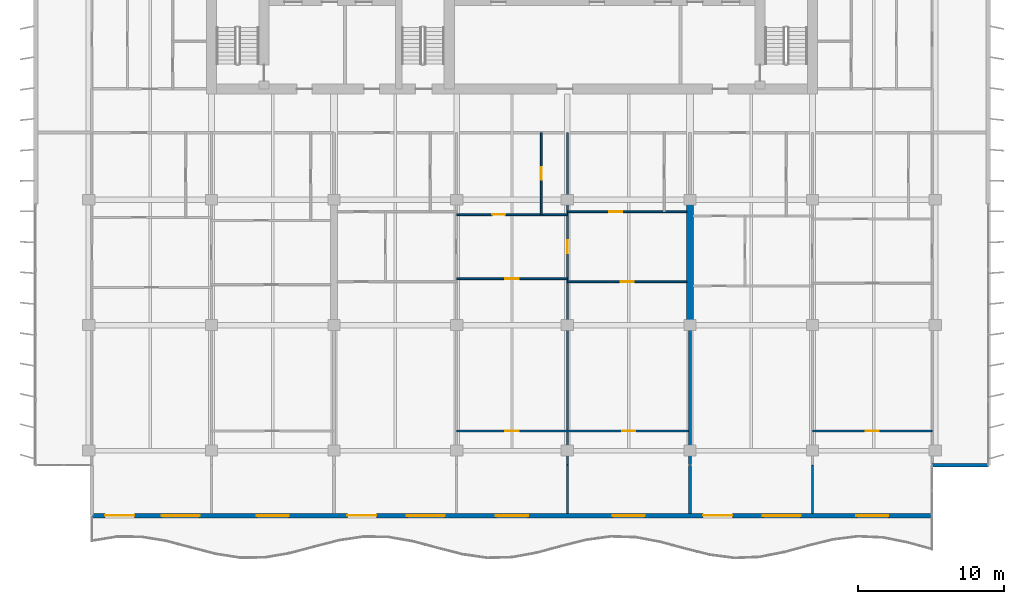
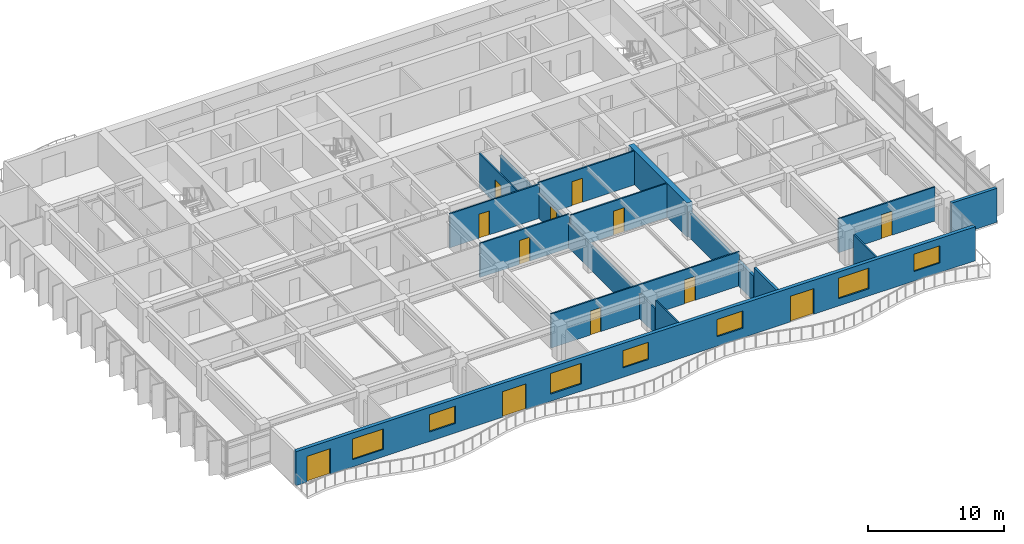
# One storey, part 8 of 16: 15 walls, 12 doors, 7 windows, 19 openings.
"""IFC4 building model written with IfcOpenShell, lengths in metres."""

from ifc_helpers import new_model, si_unit, direction, frame, frame_2d, origin, place, context, subcontext, project, spatial, rectangle, extrude, material, layer, layer_set, type_object, element, fill, save


model = new_model("IFC4")

# Units and contexts
model_context = context("Model", 3, precision=1e-05, world=origin(), true_north=direction((0.0, 1.0)))
body_context = subcontext(model_context, "Body", "Model", "MODEL_VIEW")
ifc_project = project(units=[si_unit("LENGTHUNIT", "METRE"), si_unit("AREAUNIT", "SQUARE_METRE"), si_unit("VOLUMEUNIT", "CUBIC_METRE"), si_unit("PLANEANGLEUNIT", "RADIAN"), si_unit("MASSUNIT", "GRAM", prefix="KILO")], contexts=[model_context])

# Site, building, storey
site_placement = place(None, origin())
site = spatial("IfcSite", under=ifc_project, at=site_placement, CompositionType="ELEMENT")
building_placement = place(site_placement, origin())
building = spatial("IfcBuilding", under=site, at=building_placement, Name="Caelmar Bay Residences", CompositionType="ELEMENT")
storey_placement = place(building_placement, frame((0.0, 0.0, 211.5)))
storey = spatial("IfcBuildingStorey", under=building, at=storey_placement, Name="L59", CompositionType="ELEMENT", Elevation=211.5)

# Walls
ifc_material_1 = material(Name="Concrete f'c 55 MPa (8,000 psi)", Category="concrete")
ifc_layer_1 = layer(ifc_material_1, 0.449951171875)
ifc_layer_set_1 = layer_set([ifc_layer_1], Name="Concrete f'c 55 MPa (8,000 psi)")
wall_type_1 = type_object("IfcWallType", Name="SW-XSLB-450", PredefinedType="SHEAR", material=ifc_layer_set_1)
wall_1_placement = place(storey_placement, frame((51.10009765625, 20.800048828125, 0.0), z_axis=(0.0, 0.0, 1.0), x_axis=(0.0, 1.0, 0.0)))
element("IfcWall", 1, at=wall_1_placement, inside=storey, type_object=wall_type_1, Name="L59 Transverse Cross-Slab Shear Wall E8", PredefinedType="SHEAR", context=body_context, shape_type="SweptSolid", body=[
    extrude(rectangle(XDim=8.599853515625, YDim=0.449951171875, at=frame_2d((4.2998046875, 0.0))), origin(), (0.0, 0.0, 1.0), 3.050048828125),
])
ifc_material_2 = material(Name="Precast concrete f'c 40 MPa (6,000 psi)", Category="concrete")
ifc_layer_2 = layer(ifc_material_2, 0.25)
ifc_layer_set_2 = layer_set([ifc_layer_2], Name="Precast concrete f'c 40 MPa (6,000 psi)")
wall_type_2 = type_object("IfcWallType", Name="W-EXT-250", PredefinedType="ELEMENTEDWALL", material=ifc_layer_set_2)
wall_2_placement = place(storey_placement, frame((67.699951171875, 11.199951171875, 0.0), z_axis=(0.0, 0.0, 1.0), x_axis=(1.0, 0.0, 0.0)))
element("IfcWall", 2, at=wall_2_placement, inside=storey, type_object=wall_type_2, Name="L59 SE Notch Return Wall", PredefinedType="ELEMENTEDWALL", context=body_context, shape_type="SweptSolid", body=[
    extrude(rectangle(XDim=3.85009765625, YDim=0.25, at=frame_2d((1.925048828125, 0.0))), origin(), (0.0, 0.0, 1.0), 3.050048828125),
])

# Wall, openings, doors, windows
ifc_layer_3 = layer(ifc_material_2, 0.300048828125)
ifc_layer_set_3 = layer_set([ifc_layer_3], Name="Precast concrete f'c 40 MPa (6,000 psi)")
wall_type_3 = type_object("IfcWallType", Name="W-EXT-300", PredefinedType="STANDARD", material=ifc_layer_set_3)
wall_3_placement = place(storey_placement, frame((67.699951171875, 7.75, 0.0), z_axis=(0.0, 0.0, 1.0), x_axis=(-1.0, 0.0, 0.0)))
wall_3 = element("IfcWall", 3, at=wall_3_placement, inside=storey, type_object=wall_type_3, Name="L59 South Bayfront Exterior Wall", PredefinedType="STANDARD", context=body_context, shape_type="SweptSolid", body=[
    extrude(rectangle(XDim=57.599853515625, YDim=0.300048828125, at=frame_2d((28.7998046875, 0.0))), origin(), (0.0, 0.0, 1.0), 3.050048828125),
])
opening_1_placement = place(wall_3_placement, frame((54.68994140625, 0.0, 0.0)))
opening_1 = element("IfcOpeningElement", 4, at=opening_1_placement, cuts=wall_3, Name="Opening L59-BD01", PredefinedType="OPENING", context=body_context, shape_type="SweptSolid", body=[
    extrude(rectangle(XDim=2.0, YDim=2.300048828125, at=frame_2d((1.0, 1.14990234375))), frame((0.0, 0.159912109375, 0.0), z_axis=(0.0, -1.0, 0.0), x_axis=(1.0, 0.0, 0.0)), (0.0, 0.0, 1.0), 0.320068359375),
])
opening_2_placement = place(wall_3_placement, frame((50.2099609375, 0.0, 0.64990234375)))
opening_2 = element("IfcOpeningElement", 5, at=opening_2_placement, cuts=wall_3, Name="Opening WN3", PredefinedType="OPENING", context=body_context, shape_type="SweptSolid", body=[
    extrude(rectangle(XDim=2.60009765625, YDim=1.85009765625, at=frame_2d((1.300048828125, 0.925048828125))), frame((0.0, 0.159912109375, 0.0), z_axis=(0.0, -1.0, 0.0), x_axis=(1.0, 0.0, 0.0)), (0.0, 0.0, 1.0), 0.320068359375),
])
opening_3_placement = place(wall_3_placement, frame((44.10009765625, 0.0, 0.85009765625)))
opening_3 = element("IfcOpeningElement", 6, at=opening_3_placement, cuts=wall_3, Name="Opening WN2", PredefinedType="OPENING", context=body_context, shape_type="SweptSolid", body=[
    extrude(rectangle(XDim=2.199951171875, YDim=1.550048828125, at=frame_2d((1.10009765625, 0.77490234375))), frame((0.0, 0.159912109375, 0.0), z_axis=(0.0, -1.0, 0.0), x_axis=(1.0, 0.0, 0.0)), (0.0, 0.0, 1.0), 0.320068359375),
])
opening_4_placement = place(wall_3_placement, frame((38.090087890625, 0.0, 0.0)))
opening_4 = element("IfcOpeningElement", 7, at=opening_4_placement, cuts=wall_3, Name="Opening L59-BD02", PredefinedType="OPENING", context=body_context, shape_type="SweptSolid", body=[
    extrude(rectangle(XDim=2.0, YDim=2.300048828125, at=frame_2d((1.0, 1.14990234375))), frame((0.0, 0.159912109375, 0.0), z_axis=(0.0, -1.0, 0.0), x_axis=(1.0, 0.0, 0.0)), (0.0, 0.0, 1.0), 0.320068359375),
])
opening_5_placement = place(wall_3_placement, frame((33.409912109375, 0.0, 0.64990234375)))
opening_5 = element("IfcOpeningElement", 8, at=opening_5_placement, cuts=wall_3, Name="Opening WN3", PredefinedType="OPENING", context=body_context, shape_type="SweptSolid", body=[
    extrude(rectangle(XDim=2.60009765625, YDim=1.85009765625, at=frame_2d((1.300048828125, 0.925048828125))), frame((0.0, 0.159912109375, 0.0), z_axis=(0.0, -1.0, 0.0), x_axis=(1.0, 0.0, 0.0)), (0.0, 0.0, 1.0), 0.320068359375),
])
opening_6_placement = place(wall_3_placement, frame((27.699951171875, 0.0, 0.85009765625)))
opening_6 = element("IfcOpeningElement", 9, at=opening_6_placement, cuts=wall_3, Name="Opening WN2", PredefinedType="OPENING", context=body_context, shape_type="SweptSolid", body=[
    extrude(rectangle(XDim=2.199951171875, YDim=1.550048828125, at=frame_2d((1.10009765625, 0.77490234375))), frame((0.0, 0.159912109375, 0.0), z_axis=(0.0, -1.0, 0.0), x_axis=(1.0, 0.0, 0.0)), (0.0, 0.0, 1.0), 0.320068359375),
])
opening_7_placement = place(wall_3_placement, frame((19.699951171875, 0.0, 0.85009765625)))
opening_7 = element("IfcOpeningElement", 10, at=opening_7_placement, cuts=wall_3, Name="Opening WN2", PredefinedType="OPENING", context=body_context, shape_type="SweptSolid", body=[
    extrude(rectangle(XDim=2.199951171875, YDim=1.550048828125, at=frame_2d((1.10009765625, 0.77490234375))), frame((0.0, 0.159912109375, 0.0), z_axis=(0.0, -1.0, 0.0), x_axis=(1.0, 0.0, 0.0)), (0.0, 0.0, 1.0), 0.320068359375),
])
opening_8_placement = place(wall_3_placement, frame((13.68994140625, 0.0, 0.0)))
opening_8 = element("IfcOpeningElement", 11, at=opening_8_placement, cuts=wall_3, Name="Opening L59-BD03", PredefinedType="OPENING", context=body_context, shape_type="SweptSolid", body=[
    extrude(rectangle(XDim=2.0, YDim=2.300048828125, at=frame_2d((1.0, 1.14990234375))), frame((0.0, 0.159912109375, 0.0), z_axis=(0.0, -1.0, 0.0), x_axis=(1.0, 0.0, 0.0)), (0.0, 0.0, 1.0), 0.320068359375),
])
opening_9_placement = place(wall_3_placement, frame((9.010009765625, 0.0, 0.64990234375)))
opening_9 = element("IfcOpeningElement", 12, at=opening_9_placement, cuts=wall_3, Name="Opening WN3", PredefinedType="OPENING", context=body_context, shape_type="SweptSolid", body=[
    extrude(rectangle(XDim=2.60009765625, YDim=1.85009765625, at=frame_2d((1.300048828125, 0.925048828125))), frame((0.0, 0.159912109375, 0.0), z_axis=(0.0, -1.0, 0.0), x_axis=(1.0, 0.0, 0.0)), (0.0, 0.0, 1.0), 0.320068359375),
])
opening_10_placement = place(wall_3_placement, frame((3.0, 0.0, 0.85009765625)))
opening_10 = element("IfcOpeningElement", 13, at=opening_10_placement, cuts=wall_3, Name="Opening WN2", PredefinedType="OPENING", context=body_context, shape_type="SweptSolid", body=[
    extrude(rectangle(XDim=2.199951171875, YDim=1.550048828125, at=frame_2d((1.10009765625, 0.77490234375))), frame((0.0, 0.159912109375, 0.0), z_axis=(0.0, -1.0, 0.0), x_axis=(1.0, 0.0, 0.0)), (0.0, 0.0, 1.0), 0.320068359375),
])
ifc_material_3 = material(Name="Anodised bronze thermally broken sliding glass door", Category="glass")
ifc_layer_4 = layer(ifc_material_3, 0.050048828125)
ifc_layer_set_4 = layer_set([ifc_layer_4], Name="Anodised bronze thermally broken sliding glass door")
door_type_1 = type_object("IfcDoorType", Name="D-BAL-2000", OperationType="DOUBLE_DOOR_SLIDING", PredefinedType="DOOR", material=ifc_layer_set_4)
door_1_placement = place(opening_1_placement, origin())
door_1 = element("IfcDoor", 14, at=door_1_placement, inside=storey, type_object=door_type_1, Name="L59 Residence 01 Penthouse Living Salon Balcony Door", OperationType="DOUBLE_DOOR_SLIDING", OverallHeight=2.300048828125, OverallWidth=2.0, PredefinedType="DOOR", context=body_context, shape_type="SweptSolid", body=[
    extrude(rectangle(XDim=2.0, YDim=2.300048828125, at=frame_2d((1.0, 1.14990234375))), frame((0.0, 0.02490234375, 0.0), z_axis=(0.0, -1.0, 0.0), x_axis=(1.0, 0.0, 0.0)), (0.0, 0.0, 1.0), 0.050048828125),
])
fill(opening_1, door_1)
door_2_placement = place(opening_4_placement, origin())
door_2 = element("IfcDoor", 15, at=door_2_placement, inside=storey, type_object=door_type_1, Name="L59 Residence 02 Penthouse Living Salon Balcony Door", OperationType="DOUBLE_DOOR_SLIDING", OverallHeight=2.300048828125, OverallWidth=2.0, PredefinedType="DOOR", context=body_context, shape_type="SweptSolid", body=[
    extrude(rectangle(XDim=2.0, YDim=2.300048828125, at=frame_2d((1.0, 1.14990234375))), frame((0.0, 0.02490234375, 0.0), z_axis=(0.0, -1.0, 0.0), x_axis=(1.0, 0.0, 0.0)), (0.0, 0.0, 1.0), 0.050048828125),
])
fill(opening_4, door_2)
door_3_placement = place(opening_8_placement, origin())
door_3 = element("IfcDoor", 16, at=door_3_placement, inside=storey, type_object=door_type_1, Name="L59 Residence 03 Penthouse Living Salon Balcony Door", OperationType="DOUBLE_DOOR_SLIDING", OverallHeight=2.300048828125, OverallWidth=2.0, PredefinedType="DOOR", context=body_context, shape_type="SweptSolid", body=[
    extrude(rectangle(XDim=2.0, YDim=2.300048828125, at=frame_2d((1.0, 1.14990234375))), frame((0.0, 0.02490234375, 0.0), z_axis=(0.0, -1.0, 0.0), x_axis=(1.0, 0.0, 0.0)), (0.0, 0.0, 1.0), 0.050048828125),
])
fill(opening_8, door_3)
ifc_material_4 = material(Name="Bronze aluminium frame with laminated low-E glass", Category="aluminium")
ifc_layer_5 = layer(ifc_material_4, 0.06005859375)
ifc_layer_set_5 = layer_set([ifc_layer_5], Name="Bronze aluminium frame with laminated low-E glass")
window_type_1 = type_object("IfcWindowType", Name="WIN-BR-2200", PartitioningType="SINGLE_PANEL", PredefinedType="WINDOW", material=ifc_layer_set_5)
window_1_placement = place(opening_3_placement, origin())
window_1 = element("IfcWindow", 17, at=window_1_placement, inside=storey, type_object=window_type_1, Name="L59 Residence 01 Primary Bedroom 1 Window", OverallHeight=1.550048828125, OverallWidth=2.199951171875, PartitioningType="SINGLE_PANEL", PredefinedType="WINDOW", context=body_context, shape_type="SweptSolid", body=[
    extrude(rectangle(XDim=2.199951171875, YDim=1.550048828125, at=frame_2d((1.10009765625, 0.77490234375))), frame((0.0, 0.030029296875, 0.0), z_axis=(0.0, -1.0, 0.0), x_axis=(1.0, 0.0, 0.0)), (0.0, 0.0, 1.0), 0.06005859375),
])
fill(opening_3, window_1)
window_2_placement = place(opening_6_placement, origin())
window_2 = element("IfcWindow", 18, at=window_2_placement, inside=storey, type_object=window_type_1, Name="L59 Residence 02 Primary Bedroom 1 Window", OverallHeight=1.550048828125, OverallWidth=2.199951171875, PartitioningType="SINGLE_PANEL", PredefinedType="WINDOW", context=body_context, shape_type="SweptSolid", body=[
    extrude(rectangle(XDim=2.199951171875, YDim=1.550048828125, at=frame_2d((1.10009765625, 0.77490234375))), frame((0.0, 0.030029296875, 0.0), z_axis=(0.0, -1.0, 0.0), x_axis=(1.0, 0.0, 0.0)), (0.0, 0.0, 1.0), 0.06005859375),
])
fill(opening_6, window_2)
window_3_placement = place(opening_7_placement, origin())
window_3 = element("IfcWindow", 19, at=window_3_placement, inside=storey, type_object=window_type_1, Name="L59 Residence 02 Primary Bedroom 2 Window", OverallHeight=1.550048828125, OverallWidth=2.199951171875, PartitioningType="SINGLE_PANEL", PredefinedType="WINDOW", context=body_context, shape_type="SweptSolid", body=[
    extrude(rectangle(XDim=2.199951171875, YDim=1.550048828125, at=frame_2d((1.10009765625, 0.77490234375))), frame((0.0, 0.030029296875, 0.0), z_axis=(0.0, -1.0, 0.0), x_axis=(1.0, 0.0, 0.0)), (0.0, 0.0, 1.0), 0.06005859375),
])
fill(opening_7, window_3)
window_4_placement = place(opening_10_placement, origin())
window_4 = element("IfcWindow", 20, at=window_4_placement, inside=storey, type_object=window_type_1, Name="L59 Residence 03 Primary Bedroom 1 Window", OverallHeight=1.550048828125, OverallWidth=2.199951171875, PartitioningType="SINGLE_PANEL", PredefinedType="WINDOW", context=body_context, shape_type="SweptSolid", body=[
    extrude(rectangle(XDim=2.199951171875, YDim=1.550048828125, at=frame_2d((1.10009765625, 0.77490234375))), frame((0.0, 0.030029296875, 0.0), z_axis=(0.0, -1.0, 0.0), x_axis=(1.0, 0.0, 0.0)), (0.0, 0.0, 1.0), 0.06005859375),
])
fill(opening_10, window_4)
ifc_layer_6 = layer(ifc_material_4, 0.06005859375)
ifc_layer_set_6 = layer_set([ifc_layer_6], Name="Bronze aluminium frame with laminated low-E glass")
window_type_2 = type_object("IfcWindowType", Name="WIN-LIV-2600", PartitioningType="SINGLE_PANEL", PredefinedType="WINDOW", material=ifc_layer_set_6)
window_5_placement = place(opening_2_placement, origin())
window_5 = element("IfcWindow", 21, at=window_5_placement, inside=storey, type_object=window_type_2, Name="L59 Residence 01 Penthouse Living Salon Panoramic Window", OverallHeight=1.85009765625, OverallWidth=2.60009765625, PartitioningType="SINGLE_PANEL", PredefinedType="WINDOW", context=body_context, shape_type="SweptSolid", body=[
    extrude(rectangle(XDim=2.60009765625, YDim=1.85009765625, at=frame_2d((1.300048828125, 0.925048828125))), frame((0.0, 0.030029296875, 0.0), z_axis=(0.0, -1.0, 0.0), x_axis=(1.0, 0.0, 0.0)), (0.0, 0.0, 1.0), 0.06005859375),
])
fill(opening_2, window_5)
window_6_placement = place(opening_5_placement, origin())
window_6 = element("IfcWindow", 22, at=window_6_placement, inside=storey, type_object=window_type_2, Name="L59 Residence 02 Penthouse Living Salon Panoramic Window", OverallHeight=1.85009765625, OverallWidth=2.60009765625, PartitioningType="SINGLE_PANEL", PredefinedType="WINDOW", context=body_context, shape_type="SweptSolid", body=[
    extrude(rectangle(XDim=2.60009765625, YDim=1.85009765625, at=frame_2d((1.300048828125, 0.925048828125))), frame((0.0, 0.030029296875, 0.0), z_axis=(0.0, -1.0, 0.0), x_axis=(1.0, 0.0, 0.0)), (0.0, 0.0, 1.0), 0.06005859375),
])
fill(opening_5, window_6)
window_7_placement = place(opening_9_placement, origin())
window_7 = element("IfcWindow", 23, at=window_7_placement, inside=storey, type_object=window_type_2, Name="L59 Residence 03 Penthouse Living Salon Panoramic Window", OverallHeight=1.85009765625, OverallWidth=2.60009765625, PartitioningType="SINGLE_PANEL", PredefinedType="WINDOW", context=body_context, shape_type="SweptSolid", body=[
    extrude(rectangle(XDim=2.60009765625, YDim=1.85009765625, at=frame_2d((1.300048828125, 0.925048828125))), frame((0.0, 0.030029296875, 0.0), z_axis=(0.0, -1.0, 0.0), x_axis=(1.0, 0.0, 0.0)), (0.0, 0.0, 1.0), 0.06005859375),
])
fill(opening_9, window_7)

# Wall, opening, door
ifc_material_5 = material(Name="Acoustic metal-stud gypsum partition 120 mm")
ifc_layer_7 = layer(ifc_material_5, 0.1201171875)
ifc_layer_set_7 = layer_set([ifc_layer_7], Name="Acoustic metal-stud gypsum partition 120 mm")
wall_type_4 = type_object("IfcWallType", Name="W-PRT-120", PredefinedType="PARTITIONING", material=ifc_layer_set_7)
wall_4_placement = place(storey_placement, frame((40.903076171875, 28.3798828125, 0.0), z_axis=(0.0, 0.0, 1.0), x_axis=(0.0, 1.0, 0.0)))
wall_4 = element("IfcWall", 24, at=wall_4_placement, inside=storey, type_object=wall_type_4, Name="L59 Partition Wall V025", PredefinedType="PARTITIONING", context=body_context, shape_type="SweptSolid", body=[
    extrude(rectangle(XDim=5.6201171875, YDim=0.1201171875, at=frame_2d((2.81005859375, 0.0))), origin(), (0.0, 0.0, 1.0), 3.050048828125),
])
opening_11_placement = place(wall_4_placement, frame((2.385009765625, 0.0, 0.0)))
opening_11 = element("IfcOpeningElement", 25, at=opening_11_placement, cuts=wall_4, Name="Opening D-L59-140", PredefinedType="OPENING", context=body_context, shape_type="SweptSolid", body=[
    extrude(rectangle(XDim=0.85009765625, YDim=2.10009765625, at=frame_2d((0.425048828125, 1.050048828125))), frame((0.0, 0.070068359375, 0.0), z_axis=(0.0, -1.0, 0.0), x_axis=(1.0, 0.0, 0.0)), (0.0, 0.0, 1.0), 0.14013671875),
])
ifc_material_6 = material(Name="Solid walnut timber interior door leaf and frame", Category="wood")
ifc_layer_8 = layer(ifc_material_6, 0.050048828125)
ifc_layer_set_8 = layer_set([ifc_layer_8], Name="Solid walnut timber interior door leaf and frame")
door_type_2 = type_object("IfcDoorType", Name="D-BATH-850", OperationType="NOTDEFINED", PredefinedType="DOOR", material=ifc_layer_set_8)
door_4_placement = place(opening_11_placement, origin())
door_4 = element("IfcDoor", 26, at=door_4_placement, inside=storey, type_object=door_type_2, Name="L59 Residence 02 En-Suite Bathroom 1 Door", OperationType="SINGLE_SWING_RIGHT", OverallHeight=2.10009765625, OverallWidth=0.85009765625, PredefinedType="DOOR", context=body_context, shape_type="SweptSolid", body=[
    extrude(rectangle(XDim=0.85009765625, YDim=2.10009765625, at=frame_2d((0.425048828125, 1.050048828125))), frame((0.0, 0.02490234375, 0.0), z_axis=(0.0, -1.0, 0.0), x_axis=(1.0, 0.0, 0.0)), (0.0, 0.0, 1.0), 0.050048828125),
])
fill(opening_11, door_4)

# Wall
wall_5_placement = place(storey_placement, frame((42.699951171875, 7.89501953125, 0.0), z_axis=(0.0, 0.0, 1.0), x_axis=(0.0, 1.0, 0.0)))
element("IfcWall", 27, at=wall_5_placement, inside=storey, type_object=wall_type_4, Name="L59 Partition Wall V027", PredefinedType="PARTITIONING", context=body_context, shape_type="SweptSolid", body=[
    extrude(rectangle(XDim=3.304931640625, YDim=0.1201171875, at=frame_2d((1.65234375, 0.0))), origin(), (0.0, 0.0, 1.0), 3.050048828125),
])

# Wall, opening, door
wall_6_placement = place(storey_placement, frame((42.699951171875, 11.239990234375, 0.0), z_axis=(0.0, 0.0, 1.0), x_axis=(0.0, 1.0, 0.0)))
wall_6 = element("IfcWall", 28, at=wall_6_placement, inside=storey, type_object=wall_type_4, Name="L59 Partition Wall V028", PredefinedType="PARTITIONING", context=body_context, shape_type="SweptSolid", body=[
    extrude(rectangle(XDim=22.760009765625, YDim=0.1201171875, at=frame_2d((11.3798828125, 0.0))), origin(), (0.0, 0.0, 1.0), 2.262939453125),
])
opening_12_placement = place(wall_6_placement, frame((14.489990234375, 0.0, 0.0)))
opening_12 = element("IfcOpeningElement", 29, at=opening_12_placement, cuts=wall_6, Name="Opening D-L59-143", PredefinedType="OPENING", context=body_context, shape_type="SweptSolid", body=[
    extrude(rectangle(XDim=0.89990234375, YDim=2.14990234375, at=frame_2d((0.449951171875, 1.074951171875))), frame((0.0, 0.070068359375, 0.0), z_axis=(0.0, -1.0, 0.0), x_axis=(1.0, 0.0, 0.0)), (0.0, 0.0, 1.0), 0.14013671875),
])
ifc_layer_9 = layer(ifc_material_6, 0.050048828125)
ifc_layer_set_9 = layer_set([ifc_layer_9], Name="Solid walnut timber interior door leaf and frame")
door_type_3 = type_object("IfcDoorType", Name="D-ROOM-900", OperationType="NOTDEFINED", PredefinedType="DOOR", material=ifc_layer_set_9)
door_5_placement = place(opening_12_placement, origin())
door_5 = element("IfcDoor", 30, at=door_5_placement, inside=storey, type_object=door_type_3, Name="L59 Residence 02 Reception Lounge 2 Door", OperationType="SINGLE_SWING_LEFT", OverallHeight=2.14990234375, OverallWidth=0.89990234375, PredefinedType="DOOR", context=body_context, shape_type="SweptSolid", body=[
    extrude(rectangle(XDim=0.89990234375, YDim=2.14990234375, at=frame_2d((0.449951171875, 1.074951171875))), frame((0.0, 0.02490234375, 0.0), z_axis=(0.0, -1.0, 0.0), x_axis=(1.0, 0.0, 0.0)), (0.0, 0.0, 1.0), 0.050048828125),
])
fill(opening_12, door_5)

# Wall
wall_7_placement = place(storey_placement, frame((59.5, 7.89501953125, 0.0), z_axis=(0.0, 0.0, 1.0), x_axis=(0.0, 1.0, 0.0)))
element("IfcWall", 31, at=wall_7_placement, inside=storey, type_object=wall_type_4, Name="L59 Partition Wall V042", PredefinedType="PARTITIONING", context=body_context, shape_type="SweptSolid", body=[
    extrude(rectangle(XDim=3.304931640625, YDim=0.1201171875, at=frame_2d((1.65234375, 0.0))), origin(), (0.0, 0.0, 1.0), 3.050048828125),
])

# Wall, openings, doors
wall_8_placement = place(storey_placement, frame((35.10009765625, 13.550048828125, 0.0), z_axis=(0.0, 0.0, 1.0), x_axis=(1.0, 0.0, 0.0)))
wall_8 = element("IfcWall", 32, at=wall_8_placement, inside=storey, type_object=wall_type_4, Name="L59 Partition Wall H052", PredefinedType="PARTITIONING", context=body_context, shape_type="SweptSolid", body=[
    extrude(rectangle(XDim=16.0, YDim=0.1201171875, at=frame_2d((8.0, 0.0))), origin(), (0.0, 0.0, 1.0), 3.050048828125),
])
opening_13_placement = place(wall_8_placement, frame((3.35009765625, 0.0, 0.0)))
opening_13 = element("IfcOpeningElement", 33, at=opening_13_placement, cuts=wall_8, Name="Opening D-L59-142", PredefinedType="OPENING", context=body_context, shape_type="SweptSolid", body=[
    extrude(rectangle(XDim=0.89990234375, YDim=2.14990234375, at=frame_2d((0.449951171875, 1.074951171875))), frame((0.0, 0.070068359375, 0.0), z_axis=(0.0, -1.0, 0.0), x_axis=(1.0, 0.0, 0.0)), (0.0, 0.0, 1.0), 0.14013671875),
])
opening_14_placement = place(wall_8_placement, frame((11.35009765625, 0.0, 0.0)))
opening_14 = element("IfcOpeningElement", 34, at=opening_14_placement, cuts=wall_8, Name="Opening D-L59-147", PredefinedType="OPENING", context=body_context, shape_type="SweptSolid", body=[
    extrude(rectangle(XDim=0.89990234375, YDim=2.14990234375, at=frame_2d((0.449951171875, 1.074951171875))), frame((0.0, 0.070068359375, 0.0), z_axis=(0.0, -1.0, 0.0), x_axis=(1.0, 0.0, 0.0)), (0.0, 0.0, 1.0), 0.14013671875),
])
door_6_placement = place(opening_13_placement, origin())
door_6 = element("IfcDoor", 35, at=door_6_placement, inside=storey, type_object=door_type_3, Name="L59 Residence 02 Primary Bedroom 1 Door", OperationType="SINGLE_SWING_RIGHT", OverallHeight=2.14990234375, OverallWidth=0.89990234375, PredefinedType="DOOR", context=body_context, shape_type="SweptSolid", body=[
    extrude(rectangle(XDim=0.89990234375, YDim=2.14990234375, at=frame_2d((0.449951171875, 1.074951171875))), frame((0.0, 0.02490234375, 0.0), z_axis=(0.0, -1.0, 0.0), x_axis=(1.0, 0.0, 0.0)), (0.0, 0.0, 1.0), 0.050048828125),
])
fill(opening_13, door_6)
door_7_placement = place(opening_14_placement, origin())
door_7 = element("IfcDoor", 36, at=door_7_placement, inside=storey, type_object=door_type_3, Name="L59 Residence 02 Primary Bedroom 2 Door", OperationType="SINGLE_SWING_LEFT", OverallHeight=2.14990234375, OverallWidth=0.89990234375, PredefinedType="DOOR", context=body_context, shape_type="SweptSolid", body=[
    extrude(rectangle(XDim=0.89990234375, YDim=2.14990234375, at=frame_2d((0.449951171875, 1.074951171875))), frame((0.0, 0.02490234375, 0.0), z_axis=(0.0, -1.0, 0.0), x_axis=(1.0, 0.0, 0.0)), (0.0, 0.0, 1.0), 0.050048828125),
])
fill(opening_14, door_7)

# Wall, opening, door
wall_9_placement = place(storey_placement, frame((59.5, 13.550048828125, 0.0), z_axis=(0.0, 0.0, 1.0), x_axis=(1.0, 0.0, 0.0)))
wall_9 = element("IfcWall", 37, at=wall_9_placement, inside=storey, type_object=wall_type_4, Name="L59 Partition Wall H053", PredefinedType="PARTITIONING", context=body_context, shape_type="SweptSolid", body=[
    extrude(rectangle(XDim=8.199951171875, YDim=0.1201171875, at=frame_2d((4.10009765625, 0.0))), origin(), (0.0, 0.0, 1.0), 3.050048828125),
])
opening_15_placement = place(wall_9_placement, frame((3.64990234375, 0.0, 0.0)))
opening_15 = element("IfcOpeningElement", 38, at=opening_15_placement, cuts=wall_9, Name="Opening D-L59-157", PredefinedType="OPENING", context=body_context, shape_type="SweptSolid", body=[
    extrude(rectangle(XDim=0.89990234375, YDim=2.14990234375, at=frame_2d((0.449951171875, 1.074951171875))), frame((0.0, 0.070068359375, 0.0), z_axis=(0.0, -1.0, 0.0), x_axis=(1.0, 0.0, 0.0)), (0.0, 0.0, 1.0), 0.14013671875),
])
door_8_placement = place(opening_15_placement, origin())
door_8 = element("IfcDoor", 39, at=door_8_placement, inside=storey, type_object=door_type_3, Name="L59 Residence 03 Primary Bedroom 1 Door", OperationType="SINGLE_SWING_LEFT", OverallHeight=2.14990234375, OverallWidth=0.89990234375, PredefinedType="DOOR", context=body_context, shape_type="SweptSolid", body=[
    extrude(rectangle(XDim=0.89990234375, YDim=2.14990234375, at=frame_2d((0.449951171875, 1.074951171875))), frame((0.0, 0.02490234375, 0.0), z_axis=(0.0, -1.0, 0.0), x_axis=(1.0, 0.0, 0.0)), (0.0, 0.0, 1.0), 0.050048828125),
])
fill(opening_15, door_8)

wall_10_placement = place(storey_placement, frame((42.699951171875, 23.780029296875, 0.0), z_axis=(0.0, 0.0, 1.0), x_axis=(1.0, 0.0, 0.0)))
wall_10 = element("IfcWall", 40, at=wall_10_placement, inside=storey, type_object=wall_type_4, Name="L59 Partition Wall H059", PredefinedType="PARTITIONING", context=body_context, shape_type="SweptSolid", body=[
    extrude(rectangle(XDim=8.179931640625, YDim=0.1201171875, at=frame_2d((4.08984375, 0.0))), origin(), (0.0, 0.0, 1.0), 3.050048828125),
])
opening_16_placement = place(wall_10_placement, frame((3.639892578125, 0.0, 0.0)))
opening_16 = element("IfcOpeningElement", 41, at=opening_16_placement, cuts=wall_10, Name="Opening D-L59-146", PredefinedType="OPENING", context=body_context, shape_type="SweptSolid", body=[
    extrude(rectangle(XDim=0.89990234375, YDim=2.14990234375, at=frame_2d((0.449951171875, 1.074951171875))), frame((0.0, 0.070068359375, 0.0), z_axis=(0.0, -1.0, 0.0), x_axis=(1.0, 0.0, 0.0)), (0.0, 0.0, 1.0), 0.14013671875),
])
door_9_placement = place(opening_16_placement, origin())
door_9 = element("IfcDoor", 42, at=door_9_placement, inside=storey, type_object=door_type_3, Name="L59 Residence 02 Penthouse Sitting Salon 2 Door", OperationType="SINGLE_SWING_RIGHT", OverallHeight=2.14990234375, OverallWidth=0.89990234375, PredefinedType="DOOR", context=body_context, shape_type="SweptSolid", body=[
    extrude(rectangle(XDim=0.89990234375, YDim=2.14990234375, at=frame_2d((0.449951171875, 1.074951171875))), frame((0.0, 0.02490234375, 0.0), z_axis=(0.0, -1.0, 0.0), x_axis=(1.0, 0.0, 0.0)), (0.0, 0.0, 1.0), 0.050048828125),
])
fill(opening_16, door_9)

wall_11_placement = place(storey_placement, frame((35.10498046875, 23.97998046875, 0.0), z_axis=(0.0, 0.0, 1.0), x_axis=(1.0, 0.0, 0.0)))
wall_11 = element("IfcWall", 43, at=wall_11_placement, inside=storey, type_object=wall_type_4, Name="L59 Partition Wall H060", PredefinedType="PARTITIONING", context=body_context, shape_type="SweptSolid", body=[
    extrude(rectangle(XDim=7.590087890625, YDim=0.1201171875, at=frame_2d((3.794921875, 0.0))), origin(), (0.0, 0.0, 1.0), 3.050048828125),
])
opening_17_placement = place(wall_11_placement, frame((3.344970703125, 0.0, 0.0)))
opening_17 = element("IfcOpeningElement", 44, at=opening_17_placement, cuts=wall_11, Name="Opening D-L59-141", PredefinedType="OPENING", context=body_context, shape_type="SweptSolid", body=[
    extrude(rectangle(XDim=0.89990234375, YDim=2.14990234375, at=frame_2d((0.449951171875, 1.074951171875))), frame((0.0, 0.070068359375, 0.0), z_axis=(0.0, -1.0, 0.0), x_axis=(1.0, 0.0, 0.0)), (0.0, 0.0, 1.0), 0.14013671875),
])
door_10_placement = place(opening_17_placement, origin())
door_10 = element("IfcDoor", 45, at=door_10_placement, inside=storey, type_object=door_type_3, Name="L59 Residence 02 Penthouse Sitting Salon 1 Door", OperationType="SINGLE_SWING_LEFT", OverallHeight=2.14990234375, OverallWidth=0.89990234375, PredefinedType="DOOR", context=body_context, shape_type="SweptSolid", body=[
    extrude(rectangle(XDim=0.89990234375, YDim=2.14990234375, at=frame_2d((0.449951171875, 1.074951171875))), frame((0.0, 0.02490234375, 0.0), z_axis=(0.0, -1.0, 0.0), x_axis=(1.0, 0.0, 0.0)), (0.0, 0.0, 1.0), 0.050048828125),
])
fill(opening_17, door_10)

wall_12_placement = place(storey_placement, frame((35.10009765625, 28.3798828125, 0.0), z_axis=(0.0, 0.0, 1.0), x_axis=(1.0, 0.0, 0.0)))
wall_12 = element("IfcWall", 46, at=wall_12_placement, inside=storey, type_object=wall_type_4, Name="L59 Partition Wall H065", PredefinedType="PARTITIONING", context=body_context, shape_type="SweptSolid", body=[
    extrude(rectangle(XDim=7.599853515625, YDim=0.1201171875, at=frame_2d((3.7998046875, 0.0))), origin(), (0.0, 0.0, 1.0), 3.050048828125),
])
opening_18_placement = place(wall_12_placement, frame((2.451416015625, 0.0, 0.0)))
opening_18 = element("IfcOpeningElement", 47, at=opening_18_placement, cuts=wall_12, Name="Opening D-L59-139", PredefinedType="OPENING", context=body_context, shape_type="SweptSolid", body=[
    extrude(rectangle(XDim=0.89990234375, YDim=2.14990234375, at=frame_2d((0.449951171875, 1.074951171875))), frame((0.0, 0.070068359375, 0.0), z_axis=(0.0, -1.0, 0.0), x_axis=(1.0, 0.0, 0.0)), (0.0, 0.0, 1.0), 0.14013671875),
])
door_11_placement = place(opening_18_placement, origin())
door_11 = element("IfcDoor", 48, at=door_11_placement, inside=storey, type_object=door_type_3, Name="L59 Residence 02 Private Reception Room 1 Door", OperationType="SINGLE_SWING_LEFT", OverallHeight=2.14990234375, OverallWidth=0.89990234375, PredefinedType="DOOR", context=body_context, shape_type="SweptSolid", body=[
    extrude(rectangle(XDim=0.89990234375, YDim=2.14990234375, at=frame_2d((0.449951171875, 1.074951171875))), frame((0.0, 0.02490234375, 0.0), z_axis=(0.0, -1.0, 0.0), x_axis=(1.0, 0.0, 0.0)), (0.0, 0.0, 1.0), 0.050048828125),
])
fill(opening_18, door_11)

wall_13_placement = place(storey_placement, frame((42.705078125, 28.580078125, 0.0), z_axis=(0.0, 0.0, 1.0), x_axis=(1.0, 0.0, 0.0)))
wall_13 = element("IfcWall", 49, at=wall_13_placement, inside=storey, type_object=wall_type_4, Name="L59 Partition Wall H067", PredefinedType="PARTITIONING", context=body_context, shape_type="SweptSolid", body=[
    extrude(rectangle(XDim=8.1748046875, YDim=0.1201171875, at=frame_2d((4.08740234375, 0.0))), origin(), (0.0, 0.0, 1.0), 3.050048828125),
])
opening_19_placement = place(wall_13_placement, frame((2.862060546875, 0.0, 0.0)))
opening_19 = element("IfcOpeningElement", 50, at=opening_19_placement, cuts=wall_13, Name="Opening D-L59-144", PredefinedType="OPENING", context=body_context, shape_type="SweptSolid", body=[
    extrude(rectangle(XDim=0.89990234375, YDim=2.14990234375, at=frame_2d((0.449951171875, 1.074951171875))), frame((0.0, 0.070068359375, 0.0), z_axis=(0.0, -1.0, 0.0), x_axis=(1.0, 0.0, 0.0)), (0.0, 0.0, 1.0), 0.14013671875),
])
door_12_placement = place(opening_19_placement, origin())
door_12 = element("IfcDoor", 51, at=door_12_placement, inside=storey, type_object=door_type_3, Name="L59 Residence 02 Private Reception Room 2 Door", OperationType="SINGLE_SWING_RIGHT", OverallHeight=2.14990234375, OverallWidth=0.89990234375, PredefinedType="DOOR", context=body_context, shape_type="SweptSolid", body=[
    extrude(rectangle(XDim=0.89990234375, YDim=2.14990234375, at=frame_2d((0.449951171875, 1.074951171875))), frame((0.0, 0.02490234375, 0.0), z_axis=(0.0, -1.0, 0.0), x_axis=(1.0, 0.0, 0.0)), (0.0, 0.0, 1.0), 0.050048828125),
])
fill(opening_19, door_12)

# Walls
ifc_material_7 = material(Name="Acoustic twin-stud fire-rated inter-tenancy partition 200 mm")
ifc_layer_10 = layer(ifc_material_7, 0.199951171875)
ifc_layer_set_10 = layer_set([ifc_layer_10], Name="Acoustic twin-stud fire-rated inter-tenancy partition 200 mm")
wall_type_5 = type_object("IfcWallType", Name="W-PTY-200", PredefinedType="PARTITIONING", material=ifc_layer_set_10)
wall_14_placement = place(storey_placement, frame((51.10009765625, 7.89501953125, 0.0), z_axis=(0.0, 0.0, 1.0), x_axis=(0.0, 1.0, 0.0)))
element("IfcWall", 52, at=wall_14_placement, inside=storey, type_object=wall_type_5, Name="L59 Partition Wall V034", PredefinedType="PARTITIONING", context=body_context, shape_type="SweptSolid", body=[
    extrude(rectangle(XDim=3.304931640625, YDim=0.199951171875, at=frame_2d((1.65234375, 0.0))), origin(), (0.0, 0.0, 1.0), 3.050048828125),
])
wall_15_placement = place(storey_placement, frame((51.10009765625, 11.239990234375, 0.0), z_axis=(0.0, 0.0, 1.0), x_axis=(0.0, 1.0, 0.0)))
element("IfcWall", 53, at=wall_15_placement, inside=storey, type_object=wall_type_5, Name="L59 Partition Wall V035", PredefinedType="PARTITIONING", context=body_context, shape_type="SweptSolid", body=[
    extrude(rectangle(XDim=9.554931640625, YDim=0.199951171875, at=frame_2d((4.77734375, 0.0))), origin(), (0.0, 0.0, 1.0), 2.262939453125),
])

save(model, "model.ifc")
